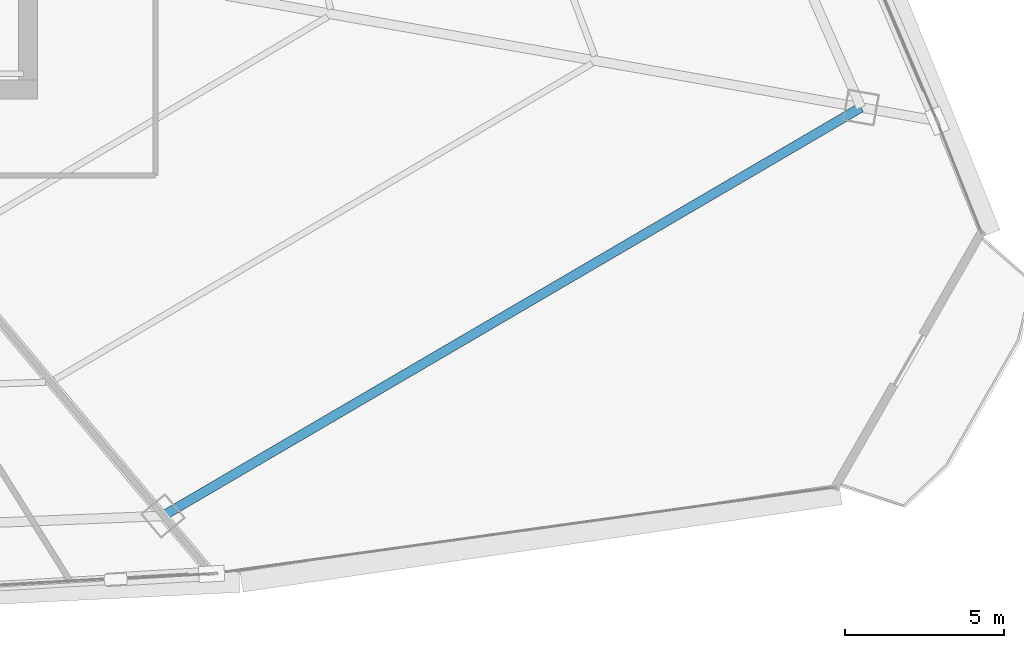
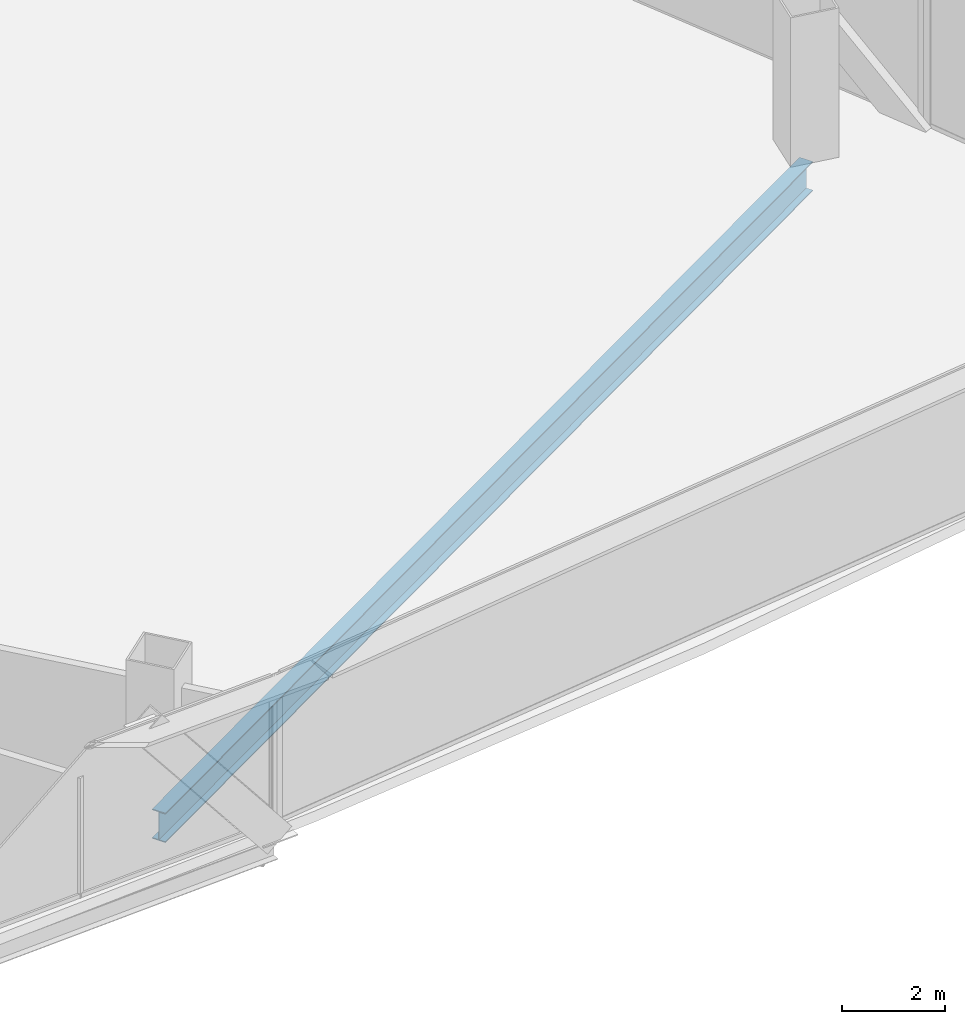
# One storey, part 21 of 38: 1 beam.
"""IFC4 building model written with IfcOpenShell, lengths in metres."""

from ifc_helpers import new_model, si_unit, direction, frame, origin, origin_2d, place, context, subcontext, project, spatial, i_section, extrude, source, transform, mapped, material, material_profile, profile_set, type_object, element, save


model = new_model("IFC4")

# Units and contexts
model_context = context("Model", 3, precision=1e-05, world=origin(), true_north=direction((0.0, 1.0)))
body_context = subcontext(model_context, "Body", "Model", "MODEL_VIEW")
ifc_project = project(units=[si_unit("LENGTHUNIT", "METRE"), si_unit("AREAUNIT", "SQUARE_METRE"), si_unit("VOLUMEUNIT", "CUBIC_METRE"), si_unit("PLANEANGLEUNIT", "RADIAN"), si_unit("MASSUNIT", "GRAM", prefix="KILO"), si_unit("THERMODYNAMICTEMPERATUREUNIT", "KELVIN"), si_unit("POWERUNIT", "WATT")], contexts=[model_context])

# Site, building, storey
site_placement = place(None, origin())
site = spatial("IfcSite", under=ifc_project, at=site_placement, CompositionType="ELEMENT")
building_placement = place(site_placement, origin())
building = spatial("IfcBuilding", under=site, at=building_placement, Name="Yunzhuo Pagoda Commons", CompositionType="ELEMENT")
storey_placement = place(building_placement, frame((0.0, 0.0, 81.179931640625)))
storey = spatial("IfcBuildingStorey", under=building, at=storey_placement, Name="L20", CompositionType="ELEMENT", Elevation=81.179931640625)

# Beam
ifc_material = material(Name="Structural steel Q355B", Category="steel")
ifc_material_profile = material_profile(ifc_material, i_section(OverallWidth=0.300048828125, OverallDepth=0.699951171875, WebThickness=0.012939453125, FlangeThickness=0.02392578125, at=origin_2d()), Name="Structural steel Q355B")
ifc_profile_set = profile_set([ifc_material_profile], Name="Structural steel Q355B")
beam_type = type_object("IfcBeamType", Name="B-RG1 Beam HN 700x300x13x24", PredefinedType="BEAM", material=ifc_profile_set)
shared_shape = source(origin(), body_context, "Body", "SweptSolid", [
    extrude(i_section(OverallWidth=0.300048828125, OverallDepth=0.699951171875, WebThickness=0.012939453125, FlangeThickness=0.02392578125, at=origin_2d()), origin(), (0.0, 0.0, 1.0), 25.3935546875),
])
beam_placement = place(storey_placement, frame((64.43603515625, 14.1123046875, -0.60986328125), z_axis=(0.863085207128, 0.505058338449, 0.0), x_axis=(-0.505058338449, 0.863085207128, 0.0)))
element("IfcBeam", 1, at=beam_placement, inside=storey, type_object=beam_type, Name="L20 column-ring beam 4", PredefinedType="BEAM", context=body_context, shape_type="MappedRepresentation", body=[
    mapped(shared_shape, transform((0.0, 0.0, 0.0), scale=1.0)),
])

save(model, "model.ifc")
